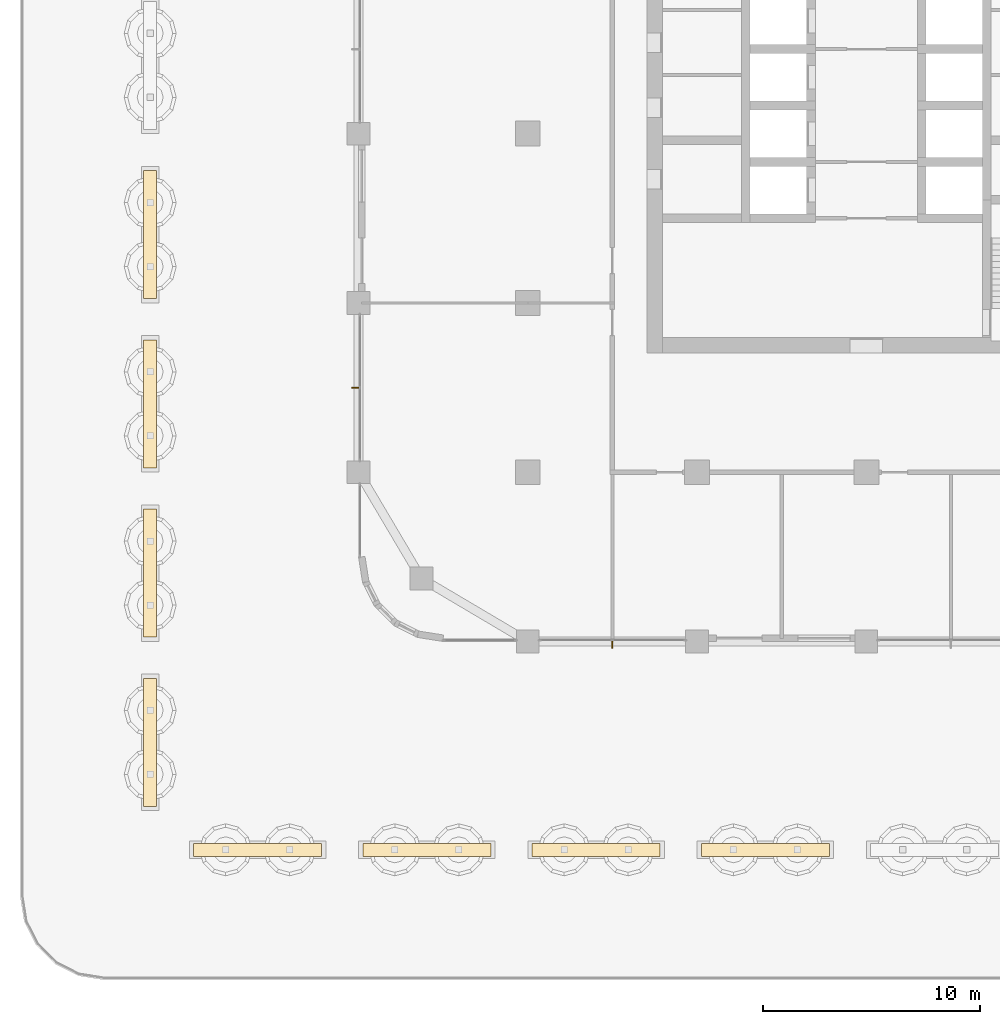
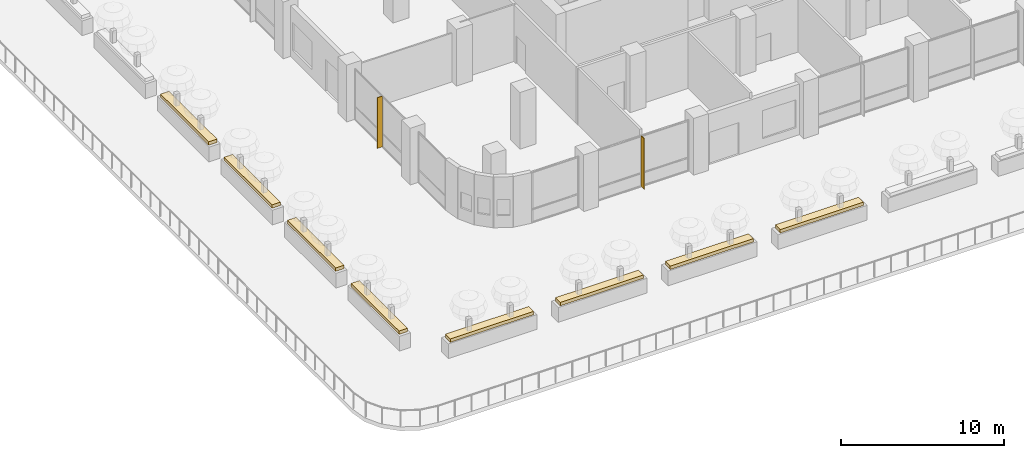
# One storey, part 20 of 31: 8 coverings, 2 shading devices.
"""IFC4 building model written with IfcOpenShell, lengths in metres."""

from ifc_helpers import new_model, si_unit, direction, frame, origin, origin_2d, place, context, subcontext, project, spatial, rectangle, extrude, material, layer, layer_set, type_object, element, save


model = new_model("IFC4")

# Units and contexts
model_context = context("Model", 3, precision=1e-05, world=origin(), true_north=direction((0.0, 1.0)))
body_context = subcontext(model_context, "Body", "Model", "MODEL_VIEW")
ifc_project = project(units=[si_unit("LENGTHUNIT", "METRE"), si_unit("AREAUNIT", "SQUARE_METRE"), si_unit("VOLUMEUNIT", "CUBIC_METRE"), si_unit("PLANEANGLEUNIT", "RADIAN"), si_unit("MASSUNIT", "GRAM", prefix="KILO")], contexts=[model_context])

# Site, building, storey
site_placement = place(None, origin())
site = spatial("IfcSite", under=ifc_project, at=site_placement, CompositionType="ELEMENT")
building_placement = place(site_placement, origin())
building = spatial("IfcBuilding", under=site, at=building_placement, Name="Ludao Terraces", CompositionType="ELEMENT")
storey_placement = place(building_placement, frame((0.0, 0.0, 15.0)))
storey = spatial("IfcBuildingStorey", under=building, at=storey_placement, Name="L03", CompositionType="ELEMENT", Elevation=15.0)

# Shading devices
ifc_material_1 = material(Name="Aluminium 6063-T6", Category="aluminium")
ifc_layer_1 = layer(ifc_material_1, 0.050048828125)
ifc_layer_set_1 = layer_set([ifc_layer_1], Name="ENV Sun fin 50x350")
shading_device_type = type_object("IfcShadingDeviceType", Name="ENV Sun fin 50x350", PredefinedType="USERDEFINED", material=ifc_layer_set_1)
shading_device_1_placement = place(storey_placement, frame((73.300048828125, 41.4599609375, 0.0), z_axis=(0.0, 0.0, 1.0), x_axis=(1.0, 0.0, 0.0)))
element("IfcShadingDevice", 1, at=shading_device_1_placement, inside=storey, type_object=shading_device_type, Name="FN-CW-L03-S2-1", ObjectType="FIN", PredefinedType="USERDEFINED", context=body_context, shape_type="SweptSolid", body=[
    extrude(rectangle(XDim=0.050048828125, YDim=0.35009765625, at=origin_2d()), origin(), (0.0, 0.0, 1.0), 3.800048828125),
])
shading_device_2_placement = place(storey_placement, frame((61.4599609375, 53.300048828125, 0.0), z_axis=(0.0, 0.0, 1.0), x_axis=(1.0, 0.0, 0.0)))
element("IfcShadingDevice", 2, at=shading_device_2_placement, inside=storey, type_object=shading_device_type, Name="FN-CW-L03-W2-1", ObjectType="FIN", PredefinedType="USERDEFINED", context=body_context, shape_type="SweptSolid", body=[
    extrude(rectangle(XDim=0.35009765625, YDim=0.050048828125, at=origin_2d()), origin(), (0.0, 0.0, 1.0), 3.800048828125),
])

# Coverings
ifc_material_2 = material(Name="Planting")
ifc_layer_2 = layer(ifc_material_2, 0.60009765625)
ifc_layer_set_2 = layer_set([ifc_layer_2], Name="ENV Terrace planting bed 250")
covering_type = type_object("IfcCoveringType", Name="ENV Terrace planting bed 250", PredefinedType="USERDEFINED", material=ifc_layer_set_2)
for number, where, z_axis, x_axis, name in (
    (3, (56.949951171875, 32.0, 1.10009765625), (0.0, 0.0, 1.0), (1.0, 0.0, 0.0), "Terrace planting bed L03-T1"),
    (4, (64.75, 32.0, 1.10009765625), (0.0, 0.0, 1.0), (1.0, 0.0, 0.0), "Terrace planting bed L03-T2"),
    (5, (72.550048828125, 32.0, 1.10009765625), (0.0, 0.0, 1.0), (1.0, 0.0, 0.0), "Terrace planting bed L03-T3"),
    (6, (80.35009765625, 32.0, 1.10009765625), (0.0, 0.0, 1.0), (1.0, 0.0, 0.0), "Terrace planting bed L03-T4"),
):
    element("IfcCovering", number, at=place(storey_placement, frame(where, z_axis=z_axis, x_axis=x_axis)), inside=storey, type_object=covering_type, Name=name, ObjectType="PLANTING", PredefinedType="USERDEFINED", context=body_context, shape_type="SweptSolid", body=[
        extrude(rectangle(XDim=5.89990234375, YDim=0.60009765625, at=origin_2d()), origin(), (0.0, 0.0, 1.0), 0.25),
    ])
for number, where, z_axis, x_axis, name in (
    (7, (52.0, 36.949951171875, 1.10009765625), (0.0, 0.0, 1.0), (1.0, 0.0, 0.0), "Terrace planting bed L03-T9"),
    (8, (52.0, 44.75, 1.10009765625), (0.0, 0.0, 1.0), (1.0, 0.0, 0.0), "Terrace planting bed L03-T10"),
    (9, (52.0, 52.550048828125, 1.10009765625), (0.0, 0.0, 1.0), (1.0, 0.0, 0.0), "Terrace planting bed L03-T11"),
    (10, (52.0, 60.35009765625, 1.10009765625), (0.0, 0.0, 1.0), (1.0, 0.0, 0.0), "Terrace planting bed L03-T12"),
):
    element("IfcCovering", number, at=place(storey_placement, frame(where, z_axis=z_axis, x_axis=x_axis)), inside=storey, type_object=covering_type, Name=name, ObjectType="PLANTING", PredefinedType="USERDEFINED", context=body_context, shape_type="SweptSolid", body=[
        extrude(rectangle(XDim=0.60009765625, YDim=5.89990234375, at=origin_2d()), origin(), (0.0, 0.0, 1.0), 0.25),
    ])

save(model, "model.ifc")
